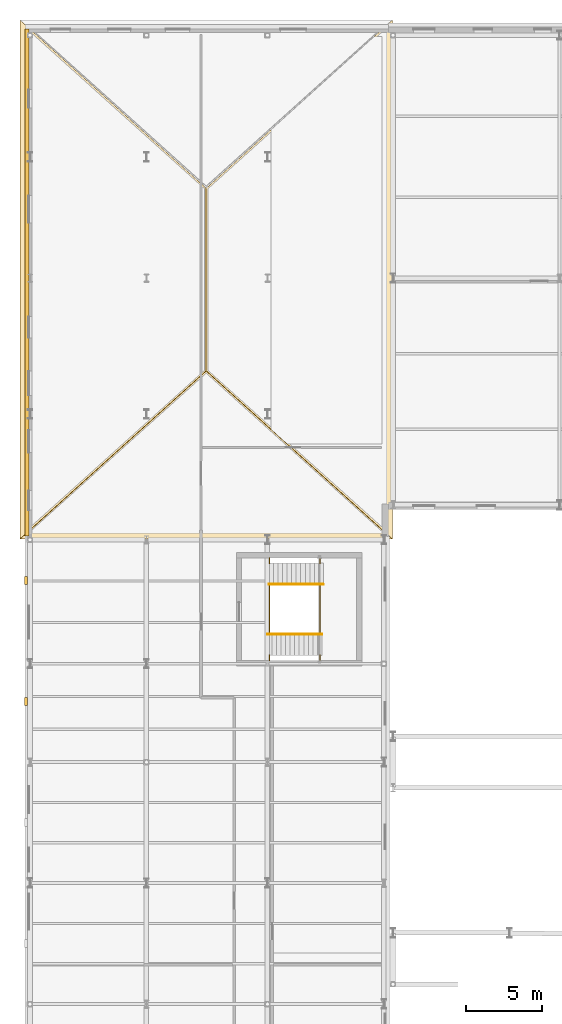
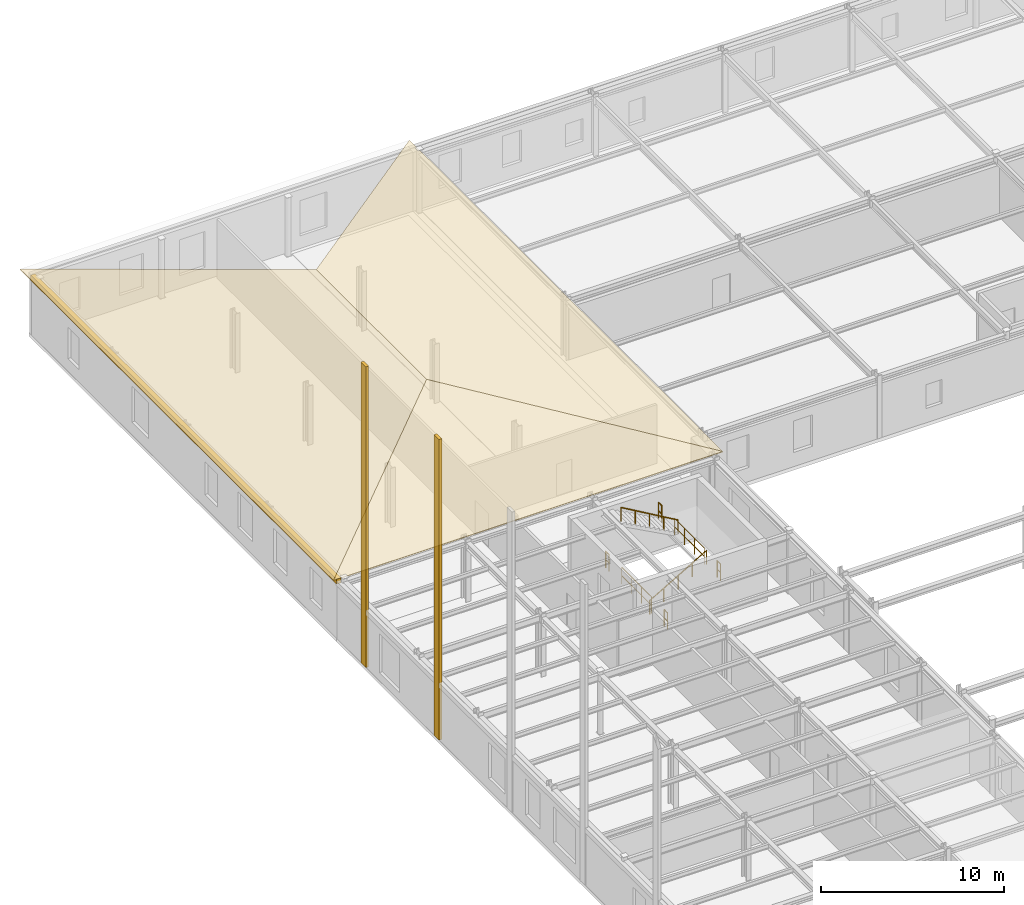
# One storey, part 143 of 148: 8 railings, 6 coverings.
"""IFC4 building model written with IfcOpenShell, lengths in metres."""

from ifc_helpers import new_model, si_unit, direction, frame, origin, origin_2d, place, context, subcontext, project, spatial, polyline, rectangle, circle, outline, extrude, material, layer, layer_set, type_object, element, save


model = new_model("IFC4")

# Units and contexts
model_context = context("Model", 3, precision=1e-05, world=origin(), true_north=direction((0.0, 1.0)))
body_context = subcontext(model_context, "Body", "Model", "MODEL_VIEW")
ifc_project = project(units=[si_unit("LENGTHUNIT", "METRE"), si_unit("AREAUNIT", "SQUARE_METRE"), si_unit("VOLUMEUNIT", "CUBIC_METRE"), si_unit("PLANEANGLEUNIT", "RADIAN"), si_unit("MASSUNIT", "GRAM", prefix="KILO"), si_unit("THERMODYNAMICTEMPERATUREUNIT", "KELVIN"), si_unit("POWERUNIT", "WATT")], contexts=[model_context])

# Site, building, storey
site_placement = place(None, origin())
site = spatial("IfcSite", under=ifc_project, at=site_placement, CompositionType="ELEMENT")
building_placement = place(site_placement, origin())
building = spatial("IfcBuilding", under=site, at=building_placement, Name="Solvatero Civic Police Headquarters", CompositionType="ELEMENT")
storey_placement = place(building_placement, frame((0.0, 0.0, 5.10009765625)))
storey = spatial("IfcBuildingStorey", under=building, at=storey_placement, Name="L01", CompositionType="ELEMENT", Elevation=5.10009765625)

# Coverings
ifc_material_1 = material(Name="Lombard Terracotta Clay Tile", Category="masonry")
ifc_layer_1 = layer(ifc_material_1, 0.06005859375)
ifc_layer_set_1 = layer_set([ifc_layer_1], Name="Lombard Terracotta Clay Tile")
covering_type_1 = type_object("IfcCoveringType", Name="COV-RF-TILE", PredefinedType="ROOFING", material=ifc_layer_set_1)
for number, where, z_axis, x_axis, name in (
    (1, (4.139892578125, 117.56005859375, 4.169921875), (-0.19058304262, 0.0, 0.981671077228), (0.0, -1.0, 0.0), "V7NW Lombard Terracotta Hipped Roof Covering W"),
    (2, (28.760009765625, 83.239990234375, 4.169921875), (0.19058304262, 0.0, 0.981671077228), (0.0, 1.0, 0.0), "V7NW Lombard Terracotta Hipped Roof Covering E"),
):
    element("IfcCovering", number, at=place(storey_placement, frame(where, z_axis=z_axis, x_axis=x_axis)), inside=storey, type_object=covering_type_1, Name=name, PredefinedType="ROOFING", context=body_context, shape_type="SweptSolid", body=[
        extrude(outline(polyline([(0.0, 0.0), (34.320068359375, 0.0), (23.205078125, 12.539901479538633), (11.114990234375, 12.539901479538633), (0.0, 0.0)])), origin(), (0.0, 0.0, -1.0), 0.06005859375),
    ])
covering_1_placement = place(storey_placement, frame((4.139892578125, 83.239990234375, 4.169921875), z_axis=(0.0, -0.210210974665, 0.977656046946), x_axis=(1.0, 0.0, 0.0)))
element("IfcCovering", 3, at=covering_1_placement, inside=storey, type_object=covering_type_1, Name="V7NW Lombard Terracotta Hipped Roof Covering S", PredefinedType="ROOFING", context=body_context, shape_type="SweptSolid", body=[
    extrude(outline(polyline([(0.0, 0.0), (24.6201171875, 0.0), (12.31005859375, 11.369019062576532), (0.0, 0.0)])), origin(), (0.0, 0.0, -1.0), 0.06005859375),
])
ifc_material_2 = material(Name="Cream Limestone Ashlar", Category="masonry")
ifc_layer_2 = layer(ifc_material_2, 0.10009765625)
ifc_layer_set_2 = layer_set([ifc_layer_2], Name="Cream Limestone Ashlar")
covering_type_2 = type_object("IfcCoveringType", Name="COV-TRIM-STONE", PredefinedType="CLADDING", material=ifc_layer_set_2)
for number, where, z_axis, x_axis, name in (
    (4, (4.5400390625, 72.5, 0.0498046875), (0.0, 0.0, 1.0), (1.0, 0.0, 0.0), "Classical Limestone Trim PIL-V6-W-72"),
    (5, (4.5400390625, 80.5, 0.0498046875), (0.0, 0.0, 1.0), (1.0, 0.0, 0.0), "Classical Limestone Trim PIL-V6-W-80"),
):
    element("IfcCovering", number, at=place(storey_placement, frame(where, z_axis=z_axis, x_axis=x_axis)), inside=storey, type_object=covering_type_2, Name=name, PredefinedType="CLADDING", context=body_context, shape_type="SweptSolid", body=[
        extrude(rectangle(XDim=0.179931640625, YDim=0.550048828125, at=origin_2d()), origin(), (0.0, 0.0, 1.0), 20.10009765625),
    ])
covering_2_placement = place(storey_placement, frame((4.60009765625, 100.199951171875, 3.6796875), z_axis=(0.0, 0.0, 1.0), x_axis=(1.0, 0.0, 0.0)))
element("IfcCovering", 6, at=covering_2_placement, inside=storey, type_object=covering_type_2, Name="Classical Limestone Trim TRIM-V7NW-L01-W", PredefinedType="CLADDING", context=body_context, shape_type="SweptSolid", body=[
    extrude(rectangle(XDim=0.280029296875, YDim=33.5, at=origin_2d()), origin(), (0.0, 0.0, 1.0), 0.340087890625),
])

# Railings
ifc_material_3 = material(Name="Painted Galvanized Steel", Category="steel")
railing_type_1 = type_object("IfcRailingType", Name="RL-GRD-110", PredefinedType="GUARDRAIL", material=ifc_material_3)
railing_1_placement = place(storey_placement, frame((20.6298828125, 76.97998046875, 0.0)))
element("IfcRailing", 7, at=railing_1_placement, inside=storey, type_object=railing_type_1, Name="ST-C4 L01 Floor Well Guardrail", PredefinedType="GUARDRAIL", context=body_context, shape_type="SweptSolid", body=[
    extrude(circle(Radius=0.02392578125, at=origin_2d()), frame((0.0, 0.0, 1.09619140625), z_axis=(0.0, 1.0, 0.0), x_axis=(-1.0, 0.0, 0.0)), (0.0, 0.0, 1.0), 3.239990234375),
    extrude(circle(Radius=0.02392578125, at=origin_2d()), frame((0.0, 0.0, 0.5361328125), z_axis=(0.0, 1.0, 0.0), x_axis=(-1.0, 0.0, 0.0)), (0.0, 0.0, 1.0), 3.239990234375),
    extrude(circle(Radius=0.02099609375, at=origin_2d()), origin(), (0.0, 0.0, 1.0), 1.072021484375),
    extrude(circle(Radius=0.02099609375, at=origin_2d()), frame((0.0, 1.080078125, 0.0)), (0.0, 0.0, 1.0), 1.072021484375),
    extrude(circle(Radius=0.02099609375, at=origin_2d()), frame((0.0, 2.159912109375, 0.0)), (0.0, 0.0, 1.0), 1.072021484375),
    extrude(circle(Radius=0.02099609375, at=origin_2d()), frame((0.0, 3.239990234375, 0.0)), (0.0, 0.0, 1.0), 1.072021484375),
])
for number, where, name in (
    (8, (20.6298828125, 75.2099609375, 0.0), "ST-C4 L01 Floor Well South Slot Guardrail"),
    (9, (20.6298828125, 81.6298828125, 0.0), "ST-C4 L01 Floor Well North Slot Guardrail"),
):
    element("IfcRailing", number, at=place(storey_placement, frame(where)), inside=storey, type_object=railing_type_1, Name=name, PredefinedType="GUARDRAIL", context=body_context, shape_type="SweptSolid", body=[
        extrude(circle(Radius=0.02392578125, at=origin_2d()), frame((0.0, 0.0, 1.09619140625), z_axis=(0.0, 1.0, 0.0), x_axis=(-1.0, 0.0, 0.0)), (0.0, 0.0, 1.0), 0.360107421875),
        extrude(circle(Radius=0.02392578125, at=origin_2d()), frame((0.0, 0.0, 0.5361328125), z_axis=(0.0, 1.0, 0.0), x_axis=(-1.0, 0.0, 0.0)), (0.0, 0.0, 1.0), 0.360107421875),
        extrude(circle(Radius=0.02099609375, at=origin_2d()), origin(), (0.0, 0.0, 1.0), 1.072021484375),
        extrude(circle(Radius=0.02099609375, at=origin_2d()), frame((0.0, 0.360107421875, 0.0)), (0.0, 0.0, 1.0), 1.072021484375),
    ])
railing_2_placement = place(storey_placement, frame((23.969970703125, 76.97998046875, 2.099853515625)))
element("IfcRailing", 10, at=railing_2_placement, inside=storey, type_object=railing_type_1, Name="ST-C4 L01 Half-Landing Well Guardrail", PredefinedType="GUARDRAIL", context=body_context, shape_type="SweptSolid", body=[
    extrude(circle(Radius=0.02392578125, at=origin_2d()), frame((0.0, 0.0, 1.09619140625), z_axis=(0.0, 1.0, 0.0), x_axis=(-1.0, 0.0, 0.0)), (0.0, 0.0, 1.0), 3.239990234375),
    extrude(circle(Radius=0.02392578125, at=origin_2d()), frame((0.0, 0.0, 0.5361328125), z_axis=(0.0, 1.0, 0.0), x_axis=(-1.0, 0.0, 0.0)), (0.0, 0.0, 1.0), 3.239990234375),
    extrude(circle(Radius=0.02099609375, at=origin_2d()), origin(), (0.0, 0.0, 1.0), 1.072021484375),
    extrude(circle(Radius=0.02099609375, at=origin_2d()), frame((0.0, 1.080078125, 0.0)), (0.0, 0.0, 1.0), 1.072021484375),
    extrude(circle(Radius=0.02099609375, at=origin_2d()), frame((0.0, 2.159912109375, 0.0)), (0.0, 0.0, 1.0), 1.072021484375),
    extrude(circle(Radius=0.02099609375, at=origin_2d()), frame((0.0, 3.239990234375, 0.0)), (0.0, 0.0, 1.0), 1.072021484375),
])
for number, where, name in (
    (11, (23.969970703125, 75.2099609375, 2.099853515625), "ST-C4 L01 Half-Landing South Slot Guardrail"),
    (12, (23.969970703125, 81.6298828125, 2.099853515625), "ST-C4 L01 Half-Landing North Slot Guardrail"),
):
    element("IfcRailing", number, at=place(storey_placement, frame(where)), inside=storey, type_object=railing_type_1, Name=name, PredefinedType="GUARDRAIL", context=body_context, shape_type="SweptSolid", body=[
        extrude(circle(Radius=0.02392578125, at=origin_2d()), frame((0.0, 0.0, 1.09619140625), z_axis=(0.0, 1.0, 0.0), x_axis=(-1.0, 0.0, 0.0)), (0.0, 0.0, 1.0), 0.360107421875),
        extrude(circle(Radius=0.02392578125, at=origin_2d()), frame((0.0, 0.0, 0.5361328125), z_axis=(0.0, 1.0, 0.0), x_axis=(-1.0, 0.0, 0.0)), (0.0, 0.0, 1.0), 0.360107421875),
        extrude(circle(Radius=0.02099609375, at=origin_2d()), origin(), (0.0, 0.0, 1.0), 1.072021484375),
        extrude(circle(Radius=0.02099609375, at=origin_2d()), frame((0.0, 0.360107421875, 0.0)), (0.0, 0.0, 1.0), 1.072021484375),
    ])
ifc_material_4 = material(Name="Brushed Stainless Steel", Category="steel")
railing_type_2 = type_object("IfcRailingType", Name="RL-HND-092", PredefinedType="HANDRAIL", material=ifc_material_4)
railing_3_placement = place(storey_placement, frame((20.5, 76.949951171875, 0.0)))
element("IfcRailing", 13, at=railing_3_placement, inside=storey, type_object=railing_type_2, Name="ST-C4 L01 Flight 1 Handrail", PredefinedType="HANDRAIL", context=body_context, shape_type="SweptSolid", body=[
    extrude(circle(Radius=0.02392578125, at=origin_2d()), frame((0.0, 0.0, 0.89599609375), z_axis=(0.863800146258, 0.0, 0.503834603144), x_axis=(0.0, 1.0, 0.0)), (0.0, 0.0, 1.0), 4.167724609375),
    extrude(circle(Radius=0.02099609375, at=origin_2d()), origin(), (0.0, 0.0, 1.0), 0.871826171875),
    extrude(circle(Radius=0.02099609375, at=origin_2d()), frame((0.89990234375, 0.0, 0.52490234375)), (0.0, 0.0, 1.0), 0.871826171875),
    extrude(circle(Radius=0.02099609375, at=origin_2d()), frame((1.800048828125, 0.0, 1.0498046875)), (0.0, 0.0, 1.0), 0.871826171875),
    extrude(circle(Radius=0.02099609375, at=origin_2d()), frame((2.7001953125, 0.0, 1.574951171875)), (0.0, 0.0, 1.0), 0.871826171875),
    extrude(circle(Radius=0.02099609375, at=origin_2d()), frame((3.60009765625, 0.0, 2.099853515625)), (0.0, 0.0, 1.0), 0.871826171875),
])
railing_4_placement = place(storey_placement, frame((24.199951171875, 80.25, 2.099853515625)))
element("IfcRailing", 14, at=railing_4_placement, inside=storey, type_object=railing_type_2, Name="ST-C4 L01 Flight 2 Handrail", PredefinedType="HANDRAIL", context=body_context, shape_type="SweptSolid", body=[
    extrude(circle(Radius=0.02392578125, at=origin_2d()), frame((0.0, 0.0, 0.89599609375), z_axis=(-0.863759778359, 0.0, 0.503903805591), x_axis=(0.0, -1.0, 0.0)), (0.0, 0.0, 1.0), 4.167724609375),
    extrude(circle(Radius=0.02099609375, at=origin_2d()), origin(), (0.0, 0.0, 1.0), 0.871826171875),
    extrude(circle(Radius=0.02099609375, at=origin_2d()), frame((-0.89990234375, 0.0, 0.52490234375)), (0.0, 0.0, 1.0), 0.871826171875),
    extrude(circle(Radius=0.02099609375, at=origin_2d()), frame((-1.7998046875, 0.0, 1.050048828125)), (0.0, 0.0, 1.0), 0.871826171875),
    extrude(circle(Radius=0.02099609375, at=origin_2d()), frame((-2.699951171875, 0.0, 1.5751953125)), (0.0, 0.0, 1.0), 0.871826171875),
    extrude(circle(Radius=0.02099609375, at=origin_2d()), frame((-3.599853515625, 0.0, 2.10009765625)), (0.0, 0.0, 1.0), 0.871826171875),
])

save(model, "model.ifc")
